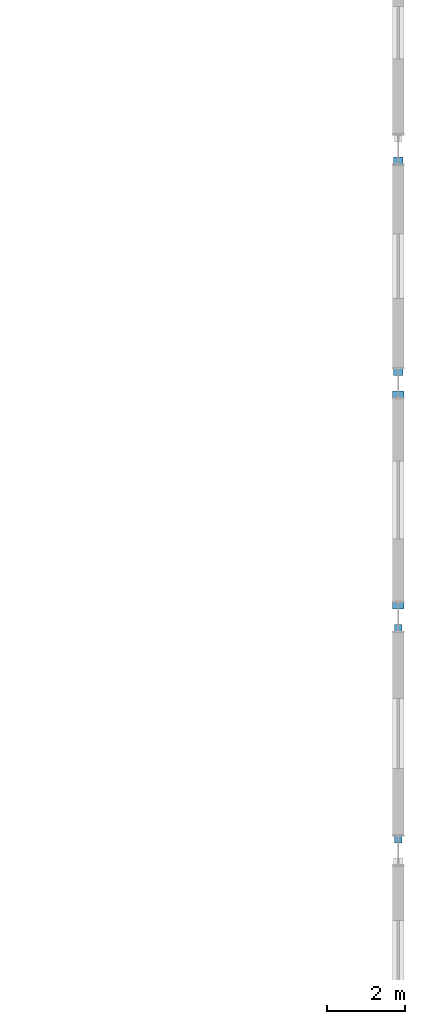
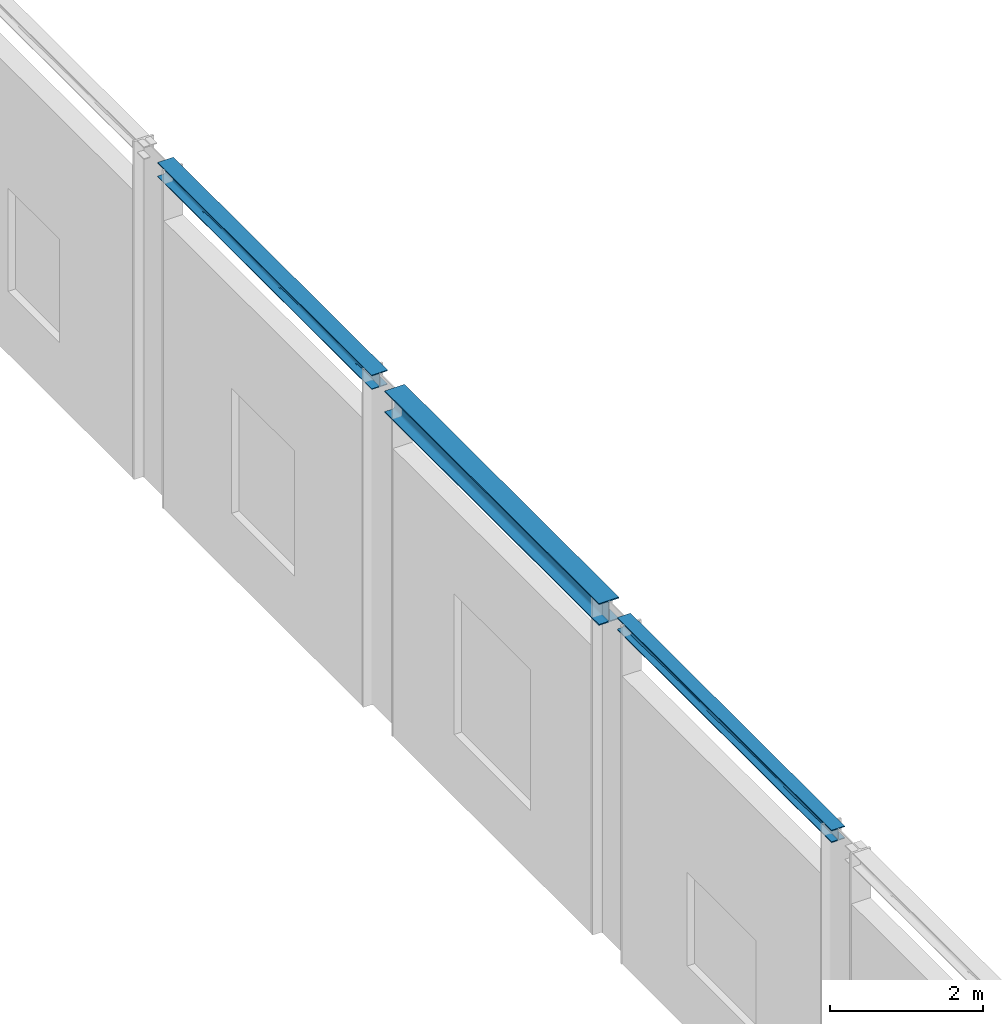
# One storey, part 121 of 210: 3 beams.
"""IFC4 building model written with IfcOpenShell, lengths in metres."""

from ifc_helpers import new_model, si_unit, direction, frame, origin, origin_2d, place, context, subcontext, project, spatial, i_section, extrude, material, material_profile, profile_set, type_object, element, save


model = new_model("IFC4")

# Units and contexts
model_context = context("Model", 3, precision=1e-05, world=origin(), true_north=direction((0.0, 1.0)))
body_context = subcontext(model_context, "Body", "Model", "MODEL_VIEW")
ifc_project = project(units=[si_unit("LENGTHUNIT", "METRE"), si_unit("AREAUNIT", "SQUARE_METRE"), si_unit("VOLUMEUNIT", "CUBIC_METRE"), si_unit("PLANEANGLEUNIT", "RADIAN"), si_unit("MASSUNIT", "GRAM", prefix="KILO")], contexts=[model_context])

# Site, building, storey
site_placement = place(None, origin())
site = spatial("IfcSite", under=ifc_project, at=site_placement, CompositionType="ELEMENT")
building_placement = place(site_placement, origin())
building = spatial("IfcBuilding", under=site, at=building_placement, Name="Kaldris Quays Convention Centre", CompositionType="ELEMENT")
storey_placement = place(building_placement, frame((0.0, 0.0, 6.0)))
storey = spatial("IfcBuildingStorey", under=building, at=storey_placement, Name="L01", CompositionType="ELEMENT", Elevation=6.0)

# Beams
ifc_material = material(Name="Steel S355J2", Category="steel")
ifc_material_profile_1 = material_profile(ifc_material, i_section(OverallWidth=0.300048828125, OverallDepth=0.35009765625, WebThickness=0.010009765625, FlangeThickness=0.017578125, FilletRadius=0.027099609375, at=origin_2d()), Name="HEA 360")
ifc_profile_set_1 = profile_set([ifc_material_profile_1], Name="Steel S355J2")
beam_type_1 = type_object("IfcBeamType", Name="STRUCTURAL BEAM SP02", PredefinedType="SPANDREL", material=ifc_profile_set_1)
beam_1_placement = place(storey_placement, frame((204.0, 86.195068359375, 5.22509765625), z_axis=(0.0, 1.0, 0.0), x_axis=(-1.0, 0.0, 0.0)))
element("IfcBeam", 1, at=beam_1_placement, inside=storey, type_object=beam_type_1, Name="L01 Perimeter Wall-Bearing Spandrel SP02 50", PredefinedType="SPANDREL", context=body_context, shape_type="SweptSolid", body=[
    extrude(i_section(OverallWidth=0.300048828125, OverallDepth=0.35009765625, WebThickness=0.010009765625, FlangeThickness=0.017578125, FilletRadius=0.027099609375, at=origin_2d()), origin(), (0.0, 0.0, 1.0), 5.60986328125),
])
ifc_material_profile_2 = material_profile(ifc_material, i_section(OverallWidth=0.239990234375, OverallDepth=0.22998046875, WebThickness=0.007568359375, FlangeThickness=0.011962890625, FilletRadius=0.02099609375, at=origin_2d()), Name="HEA 240")
ifc_profile_set_2 = profile_set([ifc_material_profile_2], Name="Steel S355J2")
beam_type_2 = type_object("IfcBeamType", Name="STRUCTURAL BEAM SP04", PredefinedType="SPANDREL", material=ifc_profile_set_2)
beam_2_placement = place(storey_placement, frame((204.0, 92.195068359375, 5.284912109375), z_axis=(0.0, 1.0, 0.0), x_axis=(-1.0, 0.0, 0.0)))
element("IfcBeam", 2, at=beam_2_placement, inside=storey, type_object=beam_type_2, Name="L01 Perimeter Wall-Bearing Spandrel SP04 52", PredefinedType="SPANDREL", context=body_context, shape_type="SweptSolid", body=[
    extrude(i_section(OverallWidth=0.239990234375, OverallDepth=0.22998046875, WebThickness=0.007568359375, FlangeThickness=0.011962890625, FilletRadius=0.02099609375, at=origin_2d()), origin(), (0.0, 0.0, 1.0), 5.60986328125),
])
ifc_material_profile_3 = material_profile(ifc_material, i_section(OverallWidth=0.199951171875, OverallDepth=0.199951171875, WebThickness=0.009033203125, FlangeThickness=0.014892578125, FilletRadius=0.01806640625, at=origin_2d()), Name="HEB 200")
ifc_profile_set_3 = profile_set([ifc_material_profile_3], Name="Steel S355J2")
beam_type_3 = type_object("IfcBeamType", Name="STRUCTURAL BEAM SP06", PredefinedType="SPANDREL", material=ifc_profile_set_3)
beam_3_placement = place(storey_placement, frame((204.0, 80.195068359375, 5.300048828125), z_axis=(0.0, 1.0, 0.0), x_axis=(-1.0, 0.0, 0.0)))
element("IfcBeam", 3, at=beam_3_placement, inside=storey, type_object=beam_type_3, Name="L01 Perimeter Wall-Bearing Spandrel SP06 48", PredefinedType="SPANDREL", context=body_context, shape_type="SweptSolid", body=[
    extrude(i_section(OverallWidth=0.199951171875, OverallDepth=0.199951171875, WebThickness=0.009033203125, FlangeThickness=0.014892578125, FilletRadius=0.01806640625, at=origin_2d()), origin(), (0.0, 0.0, 1.0), 5.60986328125),
])

save(model, "model.ifc")
